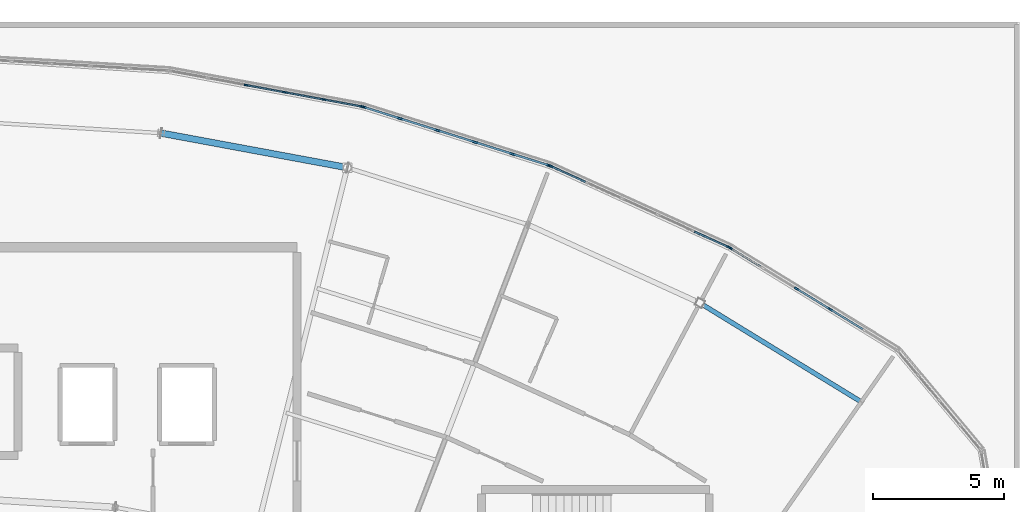
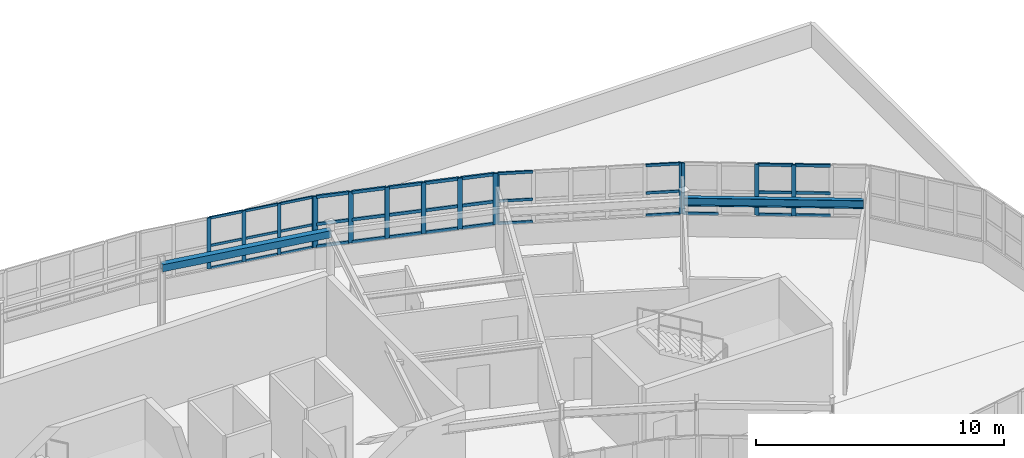
# One storey, part 51 of 128: 52 members, 2 beams, 4 elements without a shape of their own.
"""IFC4 building model written with IfcOpenShell, lengths in metres."""

from ifc_helpers import new_model, si_unit, direction, frame, origin, origin_2d, place, context, subcontext, project, spatial, rectangle, hollow_rectangle, i_section, extrude, material, layer, layer_set, material_profile, profile_set, type_object, element, aggregate, save


model = new_model("IFC4")

# Units and contexts
model_context = context("Model", 3, precision=1e-05, world=origin(), true_north=direction((0.0, 1.0)))
body_context = subcontext(model_context, "Body", "Model", "MODEL_VIEW")
ifc_project = project(units=[si_unit("LENGTHUNIT", "METRE"), si_unit("AREAUNIT", "SQUARE_METRE"), si_unit("VOLUMEUNIT", "CUBIC_METRE"), si_unit("PLANEANGLEUNIT", "RADIAN"), si_unit("MASSUNIT", "GRAM", prefix="KILO")], contexts=[model_context])

# Site, building, storey
site_placement = place(None, origin())
site = spatial("IfcSite", under=ifc_project, at=site_placement, CompositionType="ELEMENT")
building_placement = place(site_placement, origin())
building = spatial("IfcBuilding", under=site, at=building_placement, Name="Tarnwether General Hospital", CompositionType="ELEMENT")
storey_placement = place(building_placement, frame((0.0, 0.0, 14.39990234375)))
storey = spatial("IfcBuildingStorey", under=building, at=storey_placement, Name="L03", CompositionType="ELEMENT", Elevation=14.39990234375)

# Beams
ifc_material_1 = material(Name="Steel Grade 350 (350 MPa)", Category="steel")
ifc_material_profile_1 = material_profile(ifc_material_1, i_section(OverallWidth=0.177978515625, OverallDepth=0.403076171875, WebThickness=0.007568359375, FlangeThickness=0.010986328125, at=origin_2d()), Name="410UB53.7")
ifc_profile_set_1 = profile_set([ifc_material_profile_1], Name="Steel Grade 350 (350 MPa)")
beam_type_1 = type_object("IfcBeamType", Name="BM-SP2", PredefinedType="SPANDREL", material=ifc_profile_set_1)
beam_1_placement = place(storey_placement, frame((119.79296875, 115.27001953125, 3.358642578125), z_axis=(0.852678430503, -0.522436114902, 0.0), x_axis=(0.522436114902, 0.852678430503, 0.0)))
element("IfcBeam", 1, at=beam_1_placement, inside=storey, type_object=beam_type_1, Name="Curved Ward NW Outer Spandrel BMG-L03-11979_11527-12596_11149-1947", PredefinedType="SPANDREL", context=body_context, shape_type="SweptSolid", body=[
    extrude(i_section(OverallWidth=0.177978515625, OverallDepth=0.403076171875, WebThickness=0.007568359375, FlangeThickness=0.010986328125, at=origin_2d()), origin(), (0.0, 0.0, 1.0), 7.22802734375),
])
ifc_material_2 = material(Name="Steel Grade C350L0 (350 MPa)", Category="steel")
ifc_material_profile_2 = material_profile(ifc_material_2, hollow_rectangle(XDim=0.25, YDim=0.35009765625, WallThickness=0.012451171875, at=origin_2d()), Name="RHS350x250x12.5")
ifc_profile_set_2 = profile_set([ifc_material_profile_2], Name="Steel Grade C350L0 (350 MPa)")
beam_type_2 = type_object("IfcBeamType", Name="BM-SP7", PredefinedType="SPANDREL", material=ifc_profile_set_2)
beam_2_placement = place(storey_placement, frame((99.215087890625, 121.759033203125, 3.385009765625), z_axis=(0.98325623662, -0.182228354399, 0.0), x_axis=(0.182228354399, 0.98325623662, 0.0)))
element("IfcBeam", 2, at=beam_2_placement, inside=storey, type_object=beam_type_2, Name="Curved Ward NW Outer Spandrel BMG-L03-9922_12176-10632_12044-1939", PredefinedType="SPANDREL", context=body_context, shape_type="SweptSolid", body=[
    extrude(hollow_rectangle(XDim=0.25, YDim=0.35009765625, WallThickness=0.012451171875, at=origin_2d()), origin(), (0.0, 0.0, 1.0), 7.22802734375),
])

# Curtain wall, members
ifc_material_3 = material(Name="Anodised aluminium", Category="aluminium")
ifc_layer = layer(ifc_material_3, 0.159912109375)
ifc_layer_set = layer_set([ifc_layer], Name="Anodised aluminium")
curtain_wall_type = type_object("IfcCurtainWallType", Name="CW-01", PredefinedType="NOTDEFINED", material=ifc_layer_set)
curtain_wall_1_placement = place(storey_placement, origin())
curtain_wall_1 = element("IfcCurtainWall", 3, at=curtain_wall_1_placement, inside=storey, type_object=curtain_wall_type, Name="Curtain Wall CWG-L03-995_1241-0025", PredefinedType="NOTDEFINED")
ifc_material_4 = material(Name="Anodised aluminium", Category="aluminium")
ifc_material_profile_3 = material_profile(ifc_material_4, rectangle(XDim=0.06005859375, YDim=0.159912109375, at=origin_2d()), Name="ALU-MUL-60x160")
ifc_profile_set_3 = profile_set([ifc_material_profile_3], Name="Anodised aluminium")
member_type_1 = type_object("IfcMemberType", Name="CW-ML1", PredefinedType="MULLION", material=ifc_profile_set_3)
member_1_placement = place(storey_placement, frame((102.465087890625, 123.592529296875, 1.050048828125), z_axis=(0.0, 0.0, 1.0), x_axis=(0.182289226614, 0.983244953132, 0.0)))
member_1 = element("IfcMember", 4, at=member_1_placement, type_object=member_type_1, Name="CW-01 mullion 3", PredefinedType="MULLION", context=body_context, shape_type="SweptSolid", body=[
    extrude(rectangle(XDim=0.06005859375, YDim=0.159912109375, at=origin_2d()), origin(), (0.0, 0.0, 1.0), 2.510009765625),
])
member_2_placement = place(storey_placement, frame((103.944091796875, 123.318359375, 1.050048828125), z_axis=(0.0, 0.0, 1.0), x_axis=(0.182289226614, 0.983244953132, 0.0)))
member_2 = element("IfcMember", 5, at=member_2_placement, type_object=member_type_1, Name="CW-01 mullion 4", PredefinedType="MULLION", context=body_context, shape_type="SweptSolid", body=[
    extrude(rectangle(XDim=0.06005859375, YDim=0.159912109375, at=origin_2d()), origin(), (0.0, 0.0, 1.0), 2.510009765625),
])
member_3_placement = place(storey_placement, frame((105.423095703125, 123.044189453125, 1.050048828125), z_axis=(0.0, 0.0, 1.0), x_axis=(0.182289226614, 0.983244953132, 0.0)))
member_3 = element("IfcMember", 6, at=member_3_placement, type_object=member_type_1, Name="CW-01 mullion 5", PredefinedType="MULLION", context=body_context, shape_type="SweptSolid", body=[
    extrude(rectangle(XDim=0.06005859375, YDim=0.159912109375, at=origin_2d()), origin(), (0.0, 0.0, 1.0), 2.510009765625),
])
member_4_placement = place(storey_placement, frame((106.87255859375, 122.775390625, 1.050048828125), z_axis=(0.0, 0.0, 1.0), x_axis=(0.182289226614, 0.983244953132, 0.0)))
member_4 = element("IfcMember", 7, at=member_4_placement, type_object=member_type_1, Name="CW-01 mullion 6", PredefinedType="MULLION", context=body_context, shape_type="SweptSolid", body=[
    extrude(rectangle(XDim=0.06005859375, YDim=0.159912109375, at=origin_2d()), origin(), (0.0, 0.0, 1.0), 2.510009765625),
])

curtain_wall_2_placement = place(storey_placement, origin())
curtain_wall_2 = element("IfcCurtainWall", 8, at=curtain_wall_2_placement, inside=storey, type_object=curtain_wall_type, Name="Curtain Wall CWG-L03-1209_1174-0022", PredefinedType="NOTDEFINED")
ifc_material_5 = material(Name="Anodised aluminium", Category="aluminium")
ifc_material_profile_4 = material_profile(ifc_material_5, rectangle(XDim=0.070068359375, YDim=0.179931640625, at=origin_2d()), Name="ALU-MUL-70x180")
ifc_profile_set_4 = profile_set([ifc_material_profile_4], Name="Anodised aluminium")
member_type_2 = type_object("IfcMemberType", Name="CW-ML2", PredefinedType="MULLION", material=ifc_profile_set_4)
member_5_placement = place(storey_placement, frame((120.94873046875, 117.371826171875, 1.050048828125), z_axis=(0.0, 0.0, 1.0), x_axis=(0.522509056361, 0.852633734977, 0.0)))
member_5 = element("IfcMember", 9, at=member_5_placement, type_object=member_type_2, Name="CW-01 mullion 1", PredefinedType="MULLION", context=body_context, shape_type="SweptSolid", body=[
    extrude(rectangle(XDim=0.070068359375, YDim=0.179931640625, at=origin_2d()), origin(), (0.0, 0.0, 1.0), 2.510009765625),
])
member_6_placement = place(storey_placement, frame((123.484130859375, 115.818115234375, 1.050048828125), z_axis=(0.0, 0.0, 1.0), x_axis=(0.522509056361, 0.852633734977, 0.0)))
member_6 = element("IfcMember", 10, at=member_6_placement, type_object=member_type_2, Name="CW-01 mullion 3", PredefinedType="MULLION", context=body_context, shape_type="SweptSolid", body=[
    extrude(rectangle(XDim=0.070068359375, YDim=0.179931640625, at=origin_2d()), origin(), (0.0, 0.0, 1.0), 2.510009765625),
])
member_7_placement = place(storey_placement, frame((124.766845703125, 115.031982421875, 1.050048828125), z_axis=(0.0, 0.0, 1.0), x_axis=(0.522509056361, 0.852633734977, 0.0)))
member_7 = element("IfcMember", 11, at=member_7_placement, type_object=member_type_2, Name="CW-01 mullion 4", PredefinedType="MULLION", context=body_context, shape_type="SweptSolid", body=[
    extrude(rectangle(XDim=0.070068359375, YDim=0.179931640625, at=origin_2d()), origin(), (0.0, 0.0, 1.0), 2.510009765625),
])

curtain_wall_3_placement = place(storey_placement, origin())
curtain_wall_3 = element("IfcCurtainWall", 12, at=curtain_wall_3_placement, inside=storey, type_object=curtain_wall_type, Name="Curtain Wall CWG-L03-1141_1205-0023", PredefinedType="NOTDEFINED")
ifc_material_6 = material(Name="Anodised aluminium", Category="aluminium")
ifc_material_profile_5 = material_profile(ifc_material_6, rectangle(XDim=0.06494140625, YDim=0.169921875, at=origin_2d()), Name="ALU-MUL-65x170")
ifc_profile_set_5 = profile_set([ifc_material_profile_5], Name="Anodised aluminium")
member_type_3 = type_object("IfcMemberType", Name="CW-ML3", PredefinedType="MULLION", material=ifc_profile_set_5)
member_8_placement = place(storey_placement, frame((114.1044921875, 120.49560546875, 1.050048828125), z_axis=(0.0, 0.0, 1.0), x_axis=(0.414694289316, 0.909960793886, 0.0)))
member_8 = element("IfcMember", 13, at=member_8_placement, type_object=member_type_3, Name="CW-01 mullion 1", PredefinedType="MULLION", context=body_context, shape_type="SweptSolid", body=[
    extrude(rectangle(XDim=0.06494140625, YDim=0.169921875, at=origin_2d()), origin(), (0.0, 0.0, 1.0), 2.510009765625),
])
member_9_placement = place(storey_placement, frame((120.889404296875, 117.403564453125, 1.050048828125), z_axis=(0.0, 0.0, 1.0), x_axis=(0.414694289316, 0.909960793886, 0.0)))
member_9 = element("IfcMember", 14, at=member_9_placement, type_object=member_type_3, Name="CW-01 mullion 6", PredefinedType="MULLION", context=body_context, shape_type="SweptSolid", body=[
    extrude(rectangle(XDim=0.06494140625, YDim=0.169921875, at=origin_2d()), origin(), (0.0, 0.0, 1.0), 2.510009765625),
])

curtain_wall_4_placement = place(storey_placement, origin())
curtain_wall_4 = element("IfcCurtainWall", 15, at=curtain_wall_4_placement, inside=storey, type_object=curtain_wall_type, Name="Curtain Wall CWG-L03-1069_1228-0024", PredefinedType="NOTDEFINED")
ifc_material_7 = material(Name="Anodised aluminium", Category="aluminium")
ifc_material_profile_6 = material_profile(ifc_material_7, rectangle(XDim=0.080078125, YDim=0.199951171875, at=origin_2d()), Name="ALU-MUL-80x200")
ifc_profile_set_6 = profile_set([ifc_material_profile_6], Name="Anodised aluminium")
member_type_4 = type_object("IfcMemberType", Name="CW-ML4", PredefinedType="MULLION", material=ifc_profile_set_6)
member_10_placement = place(storey_placement, frame((106.940185546875, 122.758056640625, 1.050048828125), z_axis=(0.0, 0.0, 1.0), x_axis=(0.300628613299, 0.953741284032, 0.0)))
member_10 = element("IfcMember", 16, at=member_10_placement, type_object=member_type_4, Name="CW-01 mullion 1", PredefinedType="MULLION", context=body_context, shape_type="SweptSolid", body=[
    extrude(rectangle(XDim=0.080078125, YDim=0.199951171875, at=origin_2d()), origin(), (0.0, 0.0, 1.0), 2.510009765625),
])
member_11_placement = place(storey_placement, frame((108.336669921875, 122.31787109375, 1.050048828125), z_axis=(0.0, 0.0, 1.0), x_axis=(0.300628613299, 0.953741284032, 0.0)))
member_11 = element("IfcMember", 17, at=member_11_placement, type_object=member_type_4, Name="CW-01 mullion 2", PredefinedType="MULLION", context=body_context, shape_type="SweptSolid", body=[
    extrude(rectangle(XDim=0.080078125, YDim=0.199951171875, at=origin_2d()), origin(), (0.0, 0.0, 1.0), 2.510009765625),
])
member_12_placement = place(storey_placement, frame((109.771240234375, 121.865478515625, 1.050048828125), z_axis=(0.0, 0.0, 1.0), x_axis=(0.300628613299, 0.953741284032, 0.0)))
member_12 = element("IfcMember", 18, at=member_12_placement, type_object=member_type_4, Name="CW-01 mullion 3", PredefinedType="MULLION", context=body_context, shape_type="SweptSolid", body=[
    extrude(rectangle(XDim=0.080078125, YDim=0.199951171875, at=origin_2d()), origin(), (0.0, 0.0, 1.0), 2.510009765625),
])
member_13_placement = place(storey_placement, frame((111.205810546875, 121.413330078125, 1.050048828125), z_axis=(0.0, 0.0, 1.0), x_axis=(0.300628613299, 0.953741284032, 0.0)))
member_13 = element("IfcMember", 19, at=member_13_placement, type_object=member_type_4, Name="CW-01 mullion 4", PredefinedType="MULLION", context=body_context, shape_type="SweptSolid", body=[
    extrude(rectangle(XDim=0.080078125, YDim=0.199951171875, at=origin_2d()), origin(), (0.0, 0.0, 1.0), 2.510009765625),
])
member_14_placement = place(storey_placement, frame((112.640380859375, 120.961181640625, 1.050048828125), z_axis=(0.0, 0.0, 1.0), x_axis=(0.300628613299, 0.953741284032, 0.0)))
member_14 = element("IfcMember", 20, at=member_14_placement, type_object=member_type_4, Name="CW-01 mullion 5", PredefinedType="MULLION", context=body_context, shape_type="SweptSolid", body=[
    extrude(rectangle(XDim=0.080078125, YDim=0.199951171875, at=origin_2d()), origin(), (0.0, 0.0, 1.0), 2.510009765625),
])
member_15_placement = place(storey_placement, frame((114.036865234375, 120.52099609375, 1.050048828125), z_axis=(0.0, 0.0, 1.0), x_axis=(0.300628613299, 0.953741284032, 0.0)))
member_15 = element("IfcMember", 21, at=member_15_placement, type_object=member_type_4, Name="CW-01 mullion 6", PredefinedType="MULLION", context=body_context, shape_type="SweptSolid", body=[
    extrude(rectangle(XDim=0.080078125, YDim=0.199951171875, at=origin_2d()), origin(), (0.0, 0.0, 1.0), 2.510009765625),
])

# Member
ifc_material_8 = material(Name="Anodised aluminium", Category="aluminium")
ifc_material_profile_7 = material_profile(ifc_material_8, rectangle(XDim=0.06005859375, YDim=0.1201171875, at=origin_2d()), Name="ALU-TRN-60x120")
ifc_profile_set_7 = profile_set([ifc_material_profile_7], Name="Anodised aluminium")
member_type_5 = type_object("IfcMemberType", Name="CW-TR1", PredefinedType="USERDEFINED", material=ifc_profile_set_7)
member_16_placement = place(storey_placement, frame((102.494384765625, 123.587158203125, 1.080078125), z_axis=(0.983258457846, -0.182216368843, 0.0), x_axis=(0.182216368843, 0.983258457846, 0.0)))
member_16 = element("IfcMember", 22, at=member_16_placement, type_object=member_type_5, Name="CW-01 transom 3.1", ObjectType="TRANSOM", PredefinedType="USERDEFINED", context=body_context, shape_type="SweptSolid", body=[
    extrude(rectangle(XDim=0.06005859375, YDim=0.1201171875, at=origin_2d()), origin(), (0.0, 0.0, 1.0), 1.4443359375),
])

member_17_placement = place(storey_placement, frame((102.494384765625, 123.587158203125, 2.1796875), z_axis=(0.983258457846, -0.182216368843, 0.0), x_axis=(0.182216368843, 0.983258457846, 0.0)))
member_17 = element("IfcMember", 23, at=member_17_placement, type_object=member_type_5, Name="CW-01 transom 3.2", ObjectType="TRANSOM", PredefinedType="USERDEFINED", context=body_context, shape_type="SweptSolid", body=[
    extrude(rectangle(XDim=0.06005859375, YDim=0.1201171875, at=origin_2d()), origin(), (0.0, 0.0, 1.0), 1.4443359375),
])

member_18_placement = place(storey_placement, frame((102.494384765625, 123.587158203125, 3.530029296875), z_axis=(0.983258457846, -0.182216368843, 0.0), x_axis=(0.182216368843, 0.983258457846, 0.0)))
member_18 = element("IfcMember", 24, at=member_18_placement, type_object=member_type_5, Name="CW-01 transom 3.3", ObjectType="TRANSOM", PredefinedType="USERDEFINED", context=body_context, shape_type="SweptSolid", body=[
    extrude(rectangle(XDim=0.06005859375, YDim=0.1201171875, at=origin_2d()), origin(), (0.0, 0.0, 1.0), 1.4443359375),
])

member_19_placement = place(storey_placement, frame((103.973388671875, 123.31298828125, 1.080078125), z_axis=(0.98322816047, -0.18237978084, 0.0), x_axis=(0.18237978084, 0.98322816047, 0.0)))
member_19 = element("IfcMember", 25, at=member_19_placement, type_object=member_type_5, Name="CW-01 transom 4.1", ObjectType="TRANSOM", PredefinedType="USERDEFINED", context=body_context, shape_type="SweptSolid", body=[
    extrude(rectangle(XDim=0.06005859375, YDim=0.1201171875, at=origin_2d()), origin(), (0.0, 0.0, 1.0), 1.4443359375),
])

member_20_placement = place(storey_placement, frame((103.973388671875, 123.31298828125, 2.1796875), z_axis=(0.98322816047, -0.18237978084, 0.0), x_axis=(0.18237978084, 0.98322816047, 0.0)))
member_20 = element("IfcMember", 26, at=member_20_placement, type_object=member_type_5, Name="CW-01 transom 4.2", ObjectType="TRANSOM", PredefinedType="USERDEFINED", context=body_context, shape_type="SweptSolid", body=[
    extrude(rectangle(XDim=0.06005859375, YDim=0.1201171875, at=origin_2d()), origin(), (0.0, 0.0, 1.0), 1.4443359375),
])

member_21_placement = place(storey_placement, frame((103.973388671875, 123.31298828125, 3.530029296875), z_axis=(0.98322816047, -0.18237978084, 0.0), x_axis=(0.18237978084, 0.98322816047, 0.0)))
member_21 = element("IfcMember", 27, at=member_21_placement, type_object=member_type_5, Name="CW-01 transom 4.3", ObjectType="TRANSOM", PredefinedType="USERDEFINED", context=body_context, shape_type="SweptSolid", body=[
    extrude(rectangle(XDim=0.06005859375, YDim=0.1201171875, at=origin_2d()), origin(), (0.0, 0.0, 1.0), 1.4443359375),
])

member_22_placement = place(storey_placement, frame((105.452392578125, 123.038818359375, 1.080078125), z_axis=(0.983245354782, -0.182287060156, 0.0), x_axis=(0.182287060156, 0.983245354782, 0.0)))
member_22 = element("IfcMember", 28, at=member_22_placement, type_object=member_type_5, Name="CW-01 transom 5.1", ObjectType="TRANSOM", PredefinedType="USERDEFINED", context=body_context, shape_type="SweptSolid", body=[
    extrude(rectangle(XDim=0.06005859375, YDim=0.1201171875, at=origin_2d()), origin(), (0.0, 0.0, 1.0), 1.414306640625),
])

member_23_placement = place(storey_placement, frame((105.452392578125, 123.038818359375, 2.1796875), z_axis=(0.983245354782, -0.182287060156, 0.0), x_axis=(0.182287060156, 0.983245354782, 0.0)))
member_23 = element("IfcMember", 29, at=member_23_placement, type_object=member_type_5, Name="CW-01 transom 5.2", ObjectType="TRANSOM", PredefinedType="USERDEFINED", context=body_context, shape_type="SweptSolid", body=[
    extrude(rectangle(XDim=0.06005859375, YDim=0.1201171875, at=origin_2d()), origin(), (0.0, 0.0, 1.0), 1.414306640625),
])

member_24_placement = place(storey_placement, frame((105.452392578125, 123.038818359375, 3.530029296875), z_axis=(0.983245354782, -0.182287060156, 0.0), x_axis=(0.182287060156, 0.983245354782, 0.0)))
member_24 = element("IfcMember", 30, at=member_24_placement, type_object=member_type_5, Name="CW-01 transom 5.3", ObjectType="TRANSOM", PredefinedType="USERDEFINED", context=body_context, shape_type="SweptSolid", body=[
    extrude(rectangle(XDim=0.06005859375, YDim=0.1201171875, at=origin_2d()), origin(), (0.0, 0.0, 1.0), 1.414306640625),
])

aggregate(curtain_wall_1, [member_1, member_2, member_3, member_4, member_16, member_17, member_18, member_19, member_20, member_21, member_22, member_23, member_24])

ifc_material_9 = material(Name="Anodised aluminium", Category="aluminium")
ifc_material_profile_8 = material_profile(ifc_material_9, rectangle(XDim=0.070068359375, YDim=0.139892578125, at=origin_2d()), Name="ALU-TRN-70x140")
ifc_profile_set_8 = profile_set([ifc_material_profile_8], Name="Anodised aluminium")
member_type_6 = type_object("IfcMemberType", Name="CW-TR2", PredefinedType="USERDEFINED", material=ifc_profile_set_8)
member_25_placement = place(storey_placement, frame((120.978759765625, 117.353515625, 1.085205078125), z_axis=(0.852621311554, -0.522529328444, 0.0), x_axis=(0.522529328444, 0.852621311554, 0.0)))
member_25 = element("IfcMember", 31, at=member_25_placement, type_object=member_type_6, Name="CW-01 transom 1.1", ObjectType="TRANSOM", PredefinedType="USERDEFINED", context=body_context, shape_type="SweptSolid", body=[
    extrude(rectangle(XDim=0.070068359375, YDim=0.139892578125, at=origin_2d()), origin(), (0.0, 0.0, 1.0), 1.3994140625),
])

member_26_placement = place(storey_placement, frame((123.51416015625, 115.7998046875, 1.085205078125), z_axis=(0.85260369875, -0.522558066513, 0.0), x_axis=(0.522558066513, 0.85260369875, 0.0)))
member_26 = element("IfcMember", 32, at=member_26_placement, type_object=member_type_6, Name="CW-01 transom 3.1", ObjectType="TRANSOM", PredefinedType="USERDEFINED", context=body_context, shape_type="SweptSolid", body=[
    extrude(rectangle(XDim=0.070068359375, YDim=0.139892578125, at=origin_2d()), origin(), (0.0, 0.0, 1.0), 1.434326171875),
])

member_27_placement = place(storey_placement, frame((123.51416015625, 115.7998046875, 2.1796875), z_axis=(0.85260369875, -0.522558066513, 0.0), x_axis=(0.522558066513, 0.85260369875, 0.0)))
member_27 = element("IfcMember", 33, at=member_27_placement, type_object=member_type_6, Name="CW-01 transom 3.2", ObjectType="TRANSOM", PredefinedType="USERDEFINED", context=body_context, shape_type="SweptSolid", body=[
    extrude(rectangle(XDim=0.070068359375, YDim=0.139892578125, at=origin_2d()), origin(), (0.0, 0.0, 1.0), 1.434326171875),
])

member_28_placement = place(storey_placement, frame((123.51416015625, 115.7998046875, 3.525146484375), z_axis=(0.85260369875, -0.522558066513, 0.0), x_axis=(0.522558066513, 0.85260369875, 0.0)))
member_28 = element("IfcMember", 34, at=member_28_placement, type_object=member_type_6, Name="CW-01 transom 3.3", ObjectType="TRANSOM", PredefinedType="USERDEFINED", context=body_context, shape_type="SweptSolid", body=[
    extrude(rectangle(XDim=0.070068359375, YDim=0.139892578125, at=origin_2d()), origin(), (0.0, 0.0, 1.0), 1.434326171875),
])

member_29_placement = place(storey_placement, frame((124.796630859375, 115.013671875, 1.085205078125), z_axis=(0.852679532957, -0.522434315561, 0.0), x_axis=(0.522434315561, 0.852679532957, 0.0)))
member_29 = element("IfcMember", 35, at=member_29_placement, type_object=member_type_6, Name="CW-01 transom 4.1", ObjectType="TRANSOM", PredefinedType="USERDEFINED", context=body_context, shape_type="SweptSolid", body=[
    extrude(rectangle(XDim=0.070068359375, YDim=0.139892578125, at=origin_2d()), origin(), (0.0, 0.0, 1.0), 1.43408203125),
])

member_30_placement = place(storey_placement, frame((124.796630859375, 115.013671875, 2.1796875), z_axis=(0.852679532957, -0.522434315561, 0.0), x_axis=(0.522434315561, 0.852679532957, 0.0)))
member_30 = element("IfcMember", 36, at=member_30_placement, type_object=member_type_6, Name="CW-01 transom 4.2", ObjectType="TRANSOM", PredefinedType="USERDEFINED", context=body_context, shape_type="SweptSolid", body=[
    extrude(rectangle(XDim=0.070068359375, YDim=0.139892578125, at=origin_2d()), origin(), (0.0, 0.0, 1.0), 1.43408203125),
])

member_31_placement = place(storey_placement, frame((124.796630859375, 115.013671875, 3.525146484375), z_axis=(0.852679532957, -0.522434315561, 0.0), x_axis=(0.522434315561, 0.852679532957, 0.0)))
member_31 = element("IfcMember", 37, at=member_31_placement, type_object=member_type_6, Name="CW-01 transom 4.3", ObjectType="TRANSOM", PredefinedType="USERDEFINED", context=body_context, shape_type="SweptSolid", body=[
    extrude(rectangle(XDim=0.070068359375, YDim=0.139892578125, at=origin_2d()), origin(), (0.0, 0.0, 1.0), 1.43408203125),
])

aggregate(curtain_wall_2, [member_5, member_6, member_7, member_25, member_26, member_27, member_28, member_29, member_30, member_31])

ifc_material_10 = material(Name="Anodised aluminium", Category="aluminium")
ifc_material_profile_9 = material_profile(ifc_material_10, rectangle(XDim=0.06494140625, YDim=0.1298828125, at=origin_2d()), Name="ALU-TRN-65x130")
ifc_profile_set_9 = profile_set([ifc_material_profile_9], Name="Anodised aluminium")
member_type_7 = type_object("IfcMemberType", Name="CW-TR3", PredefinedType="USERDEFINED", material=ifc_profile_set_9)
member_32_placement = place(storey_placement, frame((114.134033203125, 120.48193359375, 1.08251953125), z_axis=(0.910015515634, -0.414574192763, 0.0), x_axis=(0.414574192763, 0.910015515634, 0.0)))
member_32 = element("IfcMember", 38, at=member_32_placement, type_object=member_type_7, Name="CW-01 transom 1.1", ObjectType="TRANSOM", PredefinedType="USERDEFINED", context=body_context, shape_type="SweptSolid", body=[
    extrude(rectangle(XDim=0.06494140625, YDim=0.1298828125, at=origin_2d()), origin(), (0.0, 0.0, 1.0), 1.406982421875),
])

member_33_placement = place(storey_placement, frame((114.134033203125, 120.48193359375, 2.1796875), z_axis=(0.910015515634, -0.414574192763, 0.0), x_axis=(0.414574192763, 0.910015515634, 0.0)))
member_33 = element("IfcMember", 39, at=member_33_placement, type_object=member_type_7, Name="CW-01 transom 1.2", ObjectType="TRANSOM", PredefinedType="USERDEFINED", context=body_context, shape_type="SweptSolid", body=[
    extrude(rectangle(XDim=0.06494140625, YDim=0.1298828125, at=origin_2d()), origin(), (0.0, 0.0, 1.0), 1.406982421875),
])

member_34_placement = place(storey_placement, frame((114.134033203125, 120.48193359375, 3.527587890625), z_axis=(0.910015515634, -0.414574192763, 0.0), x_axis=(0.414574192763, 0.910015515634, 0.0)))
member_34 = element("IfcMember", 40, at=member_34_placement, type_object=member_type_7, Name="CW-01 transom 1.3", ObjectType="TRANSOM", PredefinedType="USERDEFINED", context=body_context, shape_type="SweptSolid", body=[
    extrude(rectangle(XDim=0.06494140625, YDim=0.1298828125, at=origin_2d()), origin(), (0.0, 0.0, 1.0), 1.406982421875),
])

member_35_placement = place(storey_placement, frame((119.579833984375, 118.000244140625, 1.08251953125), z_axis=(0.909985682868, -0.414639671251, 0.0), x_axis=(0.414639671251, 0.909985682868, 0.0)))
member_35 = element("IfcMember", 41, at=member_35_placement, type_object=member_type_7, Name="CW-01 transom 5.1", ObjectType="TRANSOM", PredefinedType="USERDEFINED", context=body_context, shape_type="SweptSolid", body=[
    extrude(rectangle(XDim=0.06494140625, YDim=0.1298828125, at=origin_2d()), origin(), (0.0, 0.0, 1.0), 1.40673828125),
])

member_36_placement = place(storey_placement, frame((119.579833984375, 118.000244140625, 2.1796875), z_axis=(0.909985682868, -0.414639671251, 0.0), x_axis=(0.414639671251, 0.909985682868, 0.0)))
member_36 = element("IfcMember", 42, at=member_36_placement, type_object=member_type_7, Name="CW-01 transom 5.2", ObjectType="TRANSOM", PredefinedType="USERDEFINED", context=body_context, shape_type="SweptSolid", body=[
    extrude(rectangle(XDim=0.06494140625, YDim=0.1298828125, at=origin_2d()), origin(), (0.0, 0.0, 1.0), 1.40673828125),
])

member_37_placement = place(storey_placement, frame((119.579833984375, 118.000244140625, 3.527587890625), z_axis=(0.909985682868, -0.414639671251, 0.0), x_axis=(0.414639671251, 0.909985682868, 0.0)))
member_37 = element("IfcMember", 43, at=member_37_placement, type_object=member_type_7, Name="CW-01 transom 5.3", ObjectType="TRANSOM", PredefinedType="USERDEFINED", context=body_context, shape_type="SweptSolid", body=[
    extrude(rectangle(XDim=0.06494140625, YDim=0.1298828125, at=origin_2d()), origin(), (0.0, 0.0, 1.0), 1.40673828125),
])

aggregate(curtain_wall_3, [member_8, member_9, member_32, member_33, member_34, member_35, member_36, member_37])

ifc_material_11 = material(Name="Anodised aluminium", Category="aluminium")
ifc_material_profile_10 = material_profile(ifc_material_11, rectangle(XDim=0.080078125, YDim=0.14990234375, at=origin_2d()), Name="ALU-TRN-80x150")
ifc_profile_set_10 = profile_set([ifc_material_profile_10], Name="Anodised aluminium")
member_type_8 = type_object("IfcMemberType", Name="CW-TR4", PredefinedType="USERDEFINED", material=ifc_profile_set_10)
member_38_placement = place(storey_placement, frame((106.978271484375, 122.745849609375, 1.090087890625), z_axis=(0.95375845132, -0.300574144821, 0.0), x_axis=(0.300574144821, 0.95375845132, 0.0)))
member_38 = element("IfcMember", 44, at=member_38_placement, type_object=member_type_8, Name="CW-01 transom 1.1", ObjectType="TRANSOM", PredefinedType="USERDEFINED", context=body_context, shape_type="SweptSolid", body=[
    extrude(rectangle(XDim=0.080078125, YDim=0.14990234375, at=origin_2d()), origin(), (0.0, 0.0, 1.0), 1.384033203125),
])

member_39_placement = place(storey_placement, frame((106.978271484375, 122.745849609375, 2.1796875), z_axis=(0.95375845132, -0.300574144821, 0.0), x_axis=(0.300574144821, 0.95375845132, 0.0)))
member_39 = element("IfcMember", 45, at=member_39_placement, type_object=member_type_8, Name="CW-01 transom 1.2", ObjectType="TRANSOM", PredefinedType="USERDEFINED", context=body_context, shape_type="SweptSolid", body=[
    extrude(rectangle(XDim=0.080078125, YDim=0.14990234375, at=origin_2d()), origin(), (0.0, 0.0, 1.0), 1.384033203125),
])

member_40_placement = place(storey_placement, frame((106.978271484375, 122.745849609375, 3.52001953125), z_axis=(0.95375845132, -0.300574144821, 0.0), x_axis=(0.300574144821, 0.95375845132, 0.0)))
member_40 = element("IfcMember", 46, at=member_40_placement, type_object=member_type_8, Name="CW-01 transom 1.3", ObjectType="TRANSOM", PredefinedType="USERDEFINED", context=body_context, shape_type="SweptSolid", body=[
    extrude(rectangle(XDim=0.080078125, YDim=0.14990234375, at=origin_2d()), origin(), (0.0, 0.0, 1.0), 1.384033203125),
])

member_41_placement = place(storey_placement, frame((108.374755859375, 122.3056640625, 1.090087890625), z_axis=(0.953781942364, -0.30049959471, 0.0), x_axis=(0.30049959471, 0.953781942364, 0.0)))
member_41 = element("IfcMember", 47, at=member_41_placement, type_object=member_type_8, Name="CW-01 transom 2.1", ObjectType="TRANSOM", PredefinedType="USERDEFINED", context=body_context, shape_type="SweptSolid", body=[
    extrude(rectangle(XDim=0.080078125, YDim=0.14990234375, at=origin_2d()), origin(), (0.0, 0.0, 1.0), 1.42431640625),
])

member_42_placement = place(storey_placement, frame((108.374755859375, 122.3056640625, 2.1796875), z_axis=(0.953781942364, -0.30049959471, 0.0), x_axis=(0.30049959471, 0.953781942364, 0.0)))
member_42 = element("IfcMember", 48, at=member_42_placement, type_object=member_type_8, Name="CW-01 transom 2.2", ObjectType="TRANSOM", PredefinedType="USERDEFINED", context=body_context, shape_type="SweptSolid", body=[
    extrude(rectangle(XDim=0.080078125, YDim=0.14990234375, at=origin_2d()), origin(), (0.0, 0.0, 1.0), 1.42431640625),
])

member_43_placement = place(storey_placement, frame((108.374755859375, 122.3056640625, 3.52001953125), z_axis=(0.953781942364, -0.30049959471, 0.0), x_axis=(0.30049959471, 0.953781942364, 0.0)))
member_43 = element("IfcMember", 49, at=member_43_placement, type_object=member_type_8, Name="CW-01 transom 2.3", ObjectType="TRANSOM", PredefinedType="USERDEFINED", context=body_context, shape_type="SweptSolid", body=[
    extrude(rectangle(XDim=0.080078125, YDim=0.14990234375, at=origin_2d()), origin(), (0.0, 0.0, 1.0), 1.42431640625),
])

member_44_placement = place(storey_placement, frame((109.809326171875, 121.853515625, 1.090087890625), z_axis=(0.953781942364, -0.30049959471, 0.0), x_axis=(0.30049959471, 0.953781942364, 0.0)))
member_44 = element("IfcMember", 50, at=member_44_placement, type_object=member_type_8, Name="CW-01 transom 3.1", ObjectType="TRANSOM", PredefinedType="USERDEFINED", context=body_context, shape_type="SweptSolid", body=[
    extrude(rectangle(XDim=0.080078125, YDim=0.14990234375, at=origin_2d()), origin(), (0.0, 0.0, 1.0), 1.42431640625),
])

member_45_placement = place(storey_placement, frame((109.809326171875, 121.853515625, 2.1796875), z_axis=(0.953781942364, -0.30049959471, 0.0), x_axis=(0.30049959471, 0.953781942364, 0.0)))
member_45 = element("IfcMember", 51, at=member_45_placement, type_object=member_type_8, Name="CW-01 transom 3.2", ObjectType="TRANSOM", PredefinedType="USERDEFINED", context=body_context, shape_type="SweptSolid", body=[
    extrude(rectangle(XDim=0.080078125, YDim=0.14990234375, at=origin_2d()), origin(), (0.0, 0.0, 1.0), 1.42431640625),
])

member_46_placement = place(storey_placement, frame((109.809326171875, 121.853515625, 3.52001953125), z_axis=(0.953781942364, -0.30049959471, 0.0), x_axis=(0.30049959471, 0.953781942364, 0.0)))
member_46 = element("IfcMember", 52, at=member_46_placement, type_object=member_type_8, Name="CW-01 transom 3.3", ObjectType="TRANSOM", PredefinedType="USERDEFINED", context=body_context, shape_type="SweptSolid", body=[
    extrude(rectangle(XDim=0.080078125, YDim=0.14990234375, at=origin_2d()), origin(), (0.0, 0.0, 1.0), 1.42431640625),
])

member_47_placement = place(storey_placement, frame((111.243896484375, 121.4013671875, 1.090087890625), z_axis=(0.953732801221, -0.300655523606, 0.0), x_axis=(0.300655523606, 0.953732801221, 0.0)))
member_47 = element("IfcMember", 53, at=member_47_placement, type_object=member_type_8, Name="CW-01 transom 4.1", ObjectType="TRANSOM", PredefinedType="USERDEFINED", context=body_context, shape_type="SweptSolid", body=[
    extrude(rectangle(XDim=0.080078125, YDim=0.14990234375, at=origin_2d()), origin(), (0.0, 0.0, 1.0), 1.42431640625),
])

member_48_placement = place(storey_placement, frame((111.243896484375, 121.4013671875, 2.1796875), z_axis=(0.953732801221, -0.300655523606, 0.0), x_axis=(0.300655523606, 0.953732801221, 0.0)))
member_48 = element("IfcMember", 54, at=member_48_placement, type_object=member_type_8, Name="CW-01 transom 4.2", ObjectType="TRANSOM", PredefinedType="USERDEFINED", context=body_context, shape_type="SweptSolid", body=[
    extrude(rectangle(XDim=0.080078125, YDim=0.14990234375, at=origin_2d()), origin(), (0.0, 0.0, 1.0), 1.42431640625),
])

member_49_placement = place(storey_placement, frame((111.243896484375, 121.4013671875, 3.52001953125), z_axis=(0.953732801221, -0.300655523606, 0.0), x_axis=(0.300655523606, 0.953732801221, 0.0)))
member_49 = element("IfcMember", 55, at=member_49_placement, type_object=member_type_8, Name="CW-01 transom 4.3", ObjectType="TRANSOM", PredefinedType="USERDEFINED", context=body_context, shape_type="SweptSolid", body=[
    extrude(rectangle(XDim=0.080078125, YDim=0.14990234375, at=origin_2d()), origin(), (0.0, 0.0, 1.0), 1.42431640625),
])

member_50_placement = place(storey_placement, frame((112.678466796875, 120.94921875, 1.090087890625), z_axis=(0.953723821306, -0.300684008012, 0.0), x_axis=(0.300684008012, 0.953723821306, 0.0)))
member_50 = element("IfcMember", 56, at=member_50_placement, type_object=member_type_8, Name="CW-01 transom 5.1", ObjectType="TRANSOM", PredefinedType="USERDEFINED", context=body_context, shape_type="SweptSolid", body=[
    extrude(rectangle(XDim=0.080078125, YDim=0.14990234375, at=origin_2d()), origin(), (0.0, 0.0, 1.0), 1.38427734375),
])

member_51_placement = place(storey_placement, frame((112.678466796875, 120.94921875, 2.1796875), z_axis=(0.953723821306, -0.300684008012, 0.0), x_axis=(0.300684008012, 0.953723821306, 0.0)))
member_51 = element("IfcMember", 57, at=member_51_placement, type_object=member_type_8, Name="CW-01 transom 5.2", ObjectType="TRANSOM", PredefinedType="USERDEFINED", context=body_context, shape_type="SweptSolid", body=[
    extrude(rectangle(XDim=0.080078125, YDim=0.14990234375, at=origin_2d()), origin(), (0.0, 0.0, 1.0), 1.38427734375),
])

member_52_placement = place(storey_placement, frame((112.678466796875, 120.94921875, 3.52001953125), z_axis=(0.953723821306, -0.300684008012, 0.0), x_axis=(0.300684008012, 0.953723821306, 0.0)))
member_52 = element("IfcMember", 58, at=member_52_placement, type_object=member_type_8, Name="CW-01 transom 5.3", ObjectType="TRANSOM", PredefinedType="USERDEFINED", context=body_context, shape_type="SweptSolid", body=[
    extrude(rectangle(XDim=0.080078125, YDim=0.14990234375, at=origin_2d()), origin(), (0.0, 0.0, 1.0), 1.38427734375),
])

aggregate(curtain_wall_4, [member_10, member_11, member_12, member_13, member_14, member_15, member_38, member_39, member_40, member_41, member_42, member_43, member_44, member_45, member_46, member_47, member_48, member_49, member_50, member_51, member_52])

save(model, "model.ifc")
